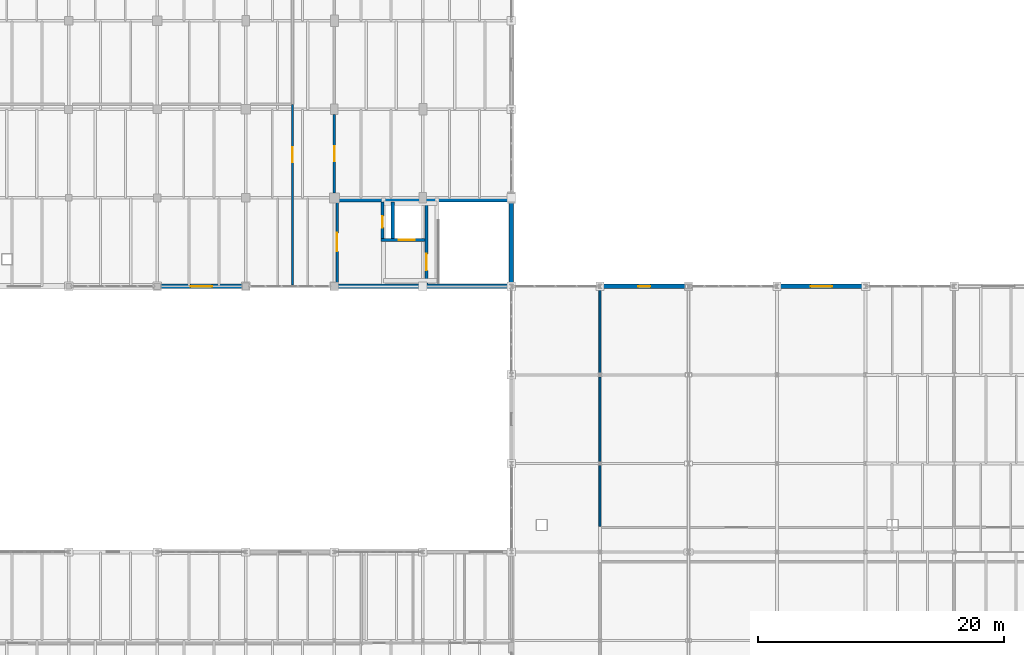
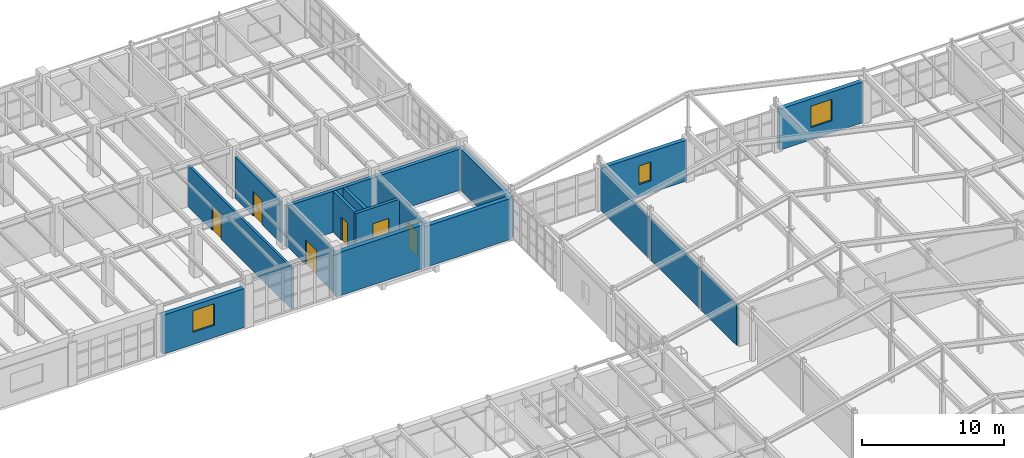
# One storey, part 130 of 137: 17 walls, 6 doors, 3 windows, 9 openings.
"""IFC4 building model written with IfcOpenShell, lengths in metres."""

from ifc_helpers import new_model, si_unit, direction, frame, frame_2d, origin, place, context, subcontext, project, spatial, rectangle, extrude, material, layer, layer_set, type_object, element, fill, save


model = new_model("IFC4")

# Units and contexts
model_context = context("Model", 3, precision=1e-05, world=origin(), true_north=direction((0.0, 1.0)))
body_context = subcontext(model_context, "Body", "Model", "MODEL_VIEW")
ifc_project = project(units=[si_unit("LENGTHUNIT", "METRE"), si_unit("AREAUNIT", "SQUARE_METRE"), si_unit("VOLUMEUNIT", "CUBIC_METRE"), si_unit("PLANEANGLEUNIT", "RADIAN"), si_unit("MASSUNIT", "GRAM", prefix="KILO")], contexts=[model_context])

# Site, building, storey
site_placement = place(None, origin())
site = spatial("IfcSite", under=ifc_project, at=site_placement, CompositionType="ELEMENT")
building_placement = place(site_placement, origin())
building = spatial("IfcBuilding", under=site, at=building_placement, Name="Kemerveld Promenade Tramway Depot", CompositionType="ELEMENT")
storey_placement = place(building_placement, frame((0.0, 0.0, 5.39990234375)))
storey = spatial("IfcBuildingStorey", under=building, at=storey_placement, Name="L01", CompositionType="ELEMENT", Elevation=5.39990234375)

# Wall, opening, door
ifc_material_1 = material(Name="Concrete C40/50", Category="concrete")
ifc_layer_1 = layer(ifc_material_1, 0.25)
ifc_layer_set_1 = layer_set([ifc_layer_1], Name="WL-CORE-250")
wall_type_1 = type_object("IfcWallType", Name="WL-CORE-250", PredefinedType="SHEAR", material=ifc_layer_set_1)
wall_1_placement = place(storey_placement, frame((151.5, 50.580078125, 0.0), z_axis=(0.0, 0.0, 1.0), x_axis=(0.0, 1.0, 0.0)))
wall_1 = element("IfcWall", 1, at=wall_1_placement, inside=storey, type_object=wall_type_1, Name="WL-C6-L01-SDIV", PredefinedType="SHEAR", context=body_context, shape_type="SweptSolid", body=[
    extrude(rectangle(XDim=6.669921875, YDim=0.25, at=frame_2d((3.3349609375, 0.0))), origin(), (0.0, 0.0, 1.0), 3.550048828125),
])
opening_1_placement = place(wall_1_placement, frame((1.1201171875, 0.0, 0.0)))
opening_1 = element("IfcOpeningElement", 2, at=opening_1_placement, cuts=wall_1, Name="Opening D-581", PredefinedType="OPENING", context=body_context, shape_type="SweptSolid", body=[
    extrude(rectangle(XDim=1.35009765625, YDim=2.14990234375, at=frame_2d((0.675048828125, 1.074951171875))), frame((0.0, 0.135009765625, 0.0), z_axis=(0.0, -1.0, 0.0), x_axis=(1.0, 0.0, 0.0)), (0.0, 0.0, 1.0), 0.27001953125),
])
ifc_material_2 = material(Name="Galvanised steel fire stair door", Category="steel")
door_type_1 = type_object("IfcDoorType", Name="DR-FD120", OperationType="NOTDEFINED", PredefinedType="DOOR", material=ifc_material_2)
door_1_placement = place(opening_1_placement, origin())
door_1 = element("IfcDoor", 3, at=door_1_placement, inside=storey, type_object=door_type_1, Name="DR-C6-L01-STAIR", OperationType="SINGLE_SWING_RIGHT", OverallHeight=2.14990234375, OverallWidth=1.35009765625, PredefinedType="DOOR", context=body_context, shape_type="SweptSolid", body=[
    extrude(rectangle(XDim=1.35009765625, YDim=2.14990234375, at=frame_2d((0.675048828125, 1.074951171875))), frame((0.0, 0.02490234375, 0.0), z_axis=(0.0, -1.0, 0.0), x_axis=(1.0, 0.0, 0.0)), (0.0, 0.0, 1.0), 0.050048828125),
])
fill(opening_1, door_1)

wall_2_placement = place(storey_placement, frame((147.794921875, 54.159912109375, 0.0), z_axis=(0.0, 0.0, 1.0), x_axis=(1.0, 0.0, 0.0)))
wall_2 = element("IfcWall", 4, at=wall_2_placement, inside=storey, type_object=wall_type_1, Name="WL-C6-L01-LSHS", PredefinedType="SHEAR", context=body_context, shape_type="SweptSolid", body=[
    extrude(rectangle(XDim=3.580078125, YDim=0.25, at=frame_2d((1.7900390625, 0.0))), origin(), (0.0, 0.0, 1.0), 3.550048828125),
])
opening_2_placement = place(wall_2_placement, frame((1.425048828125, 0.0, 0.0)))
opening_2 = element("IfcOpeningElement", 5, at=opening_2_placement, cuts=wall_2, Name="Opening LD-582", PredefinedType="OPENING", context=body_context, shape_type="SweptSolid", body=[
    extrude(rectangle(XDim=1.300048828125, YDim=2.199951171875, at=frame_2d((0.64990234375, 1.10009765625))), frame((0.0, 0.135009765625, 0.0), z_axis=(0.0, -1.0, 0.0), x_axis=(1.0, 0.0, 0.0)), (0.0, 0.0, 1.0), 0.27001953125),
])
ifc_material_3 = material(Name="Heavy-duty goods lift sliding landing door")
door_type_2 = type_object("IfcDoorType", Name="DR-LD02", OperationType="SLIDING_TO_LEFT", PredefinedType="DOOR", material=ifc_material_3)
door_2_placement = place(opening_2_placement, origin())
door_2 = element("IfcDoor", 6, at=door_2_placement, inside=storey, type_object=door_type_2, Name="DR-C6-L01-LIFT", OperationType="SLIDING_TO_LEFT", OverallHeight=2.199951171875, OverallWidth=1.300048828125, PredefinedType="DOOR", context=body_context, shape_type="SweptSolid", body=[
    extrude(rectangle(XDim=1.300048828125, YDim=2.199951171875, at=frame_2d((0.64990234375, 1.10009765625))), frame((0.0, 0.02490234375, 0.0), z_axis=(0.0, -1.0, 0.0), x_axis=(1.0, 0.0, 0.0)), (0.0, 0.0, 1.0), 0.050048828125),
])
fill(opening_2, door_2)

# Wall
wall_3_placement = place(storey_placement, frame((148.75, 54.284912109375, 0.0), z_axis=(0.0, 0.0, 1.0), x_axis=(0.0, 1.0, 0.0)))
element("IfcWall", 7, at=wall_3_placement, inside=storey, type_object=wall_type_1, Name="WL-C6-L01-LSHM", PredefinedType="SHEAR", context=body_context, shape_type="SweptSolid", body=[
    extrude(rectangle(XDim=2.965087890625, YDim=0.25, at=frame_2d((1.482421875, 0.0))), origin(), (0.0, 0.0, 1.0), 3.550048828125),
])

# Wall, opening, door
wall_4_placement = place(storey_placement, frame((147.919921875, 54.284912109375, 0.0), z_axis=(0.0, 0.0, 1.0), x_axis=(0.0, 1.0, 0.0)))
wall_4 = element("IfcWall", 8, at=wall_4_placement, inside=storey, type_object=wall_type_1, Name="WL-C6-L01-LSHE", PredefinedType="SHEAR", context=body_context, shape_type="SweptSolid", body=[
    extrude(rectangle(XDim=2.965087890625, YDim=0.25, at=frame_2d((1.482421875, 0.0))), origin(), (0.0, 0.0, 1.0), 3.550048828125),
])
opening_3_placement = place(wall_4_placement, frame((0.89990234375, 0.0, 0.0)))
opening_3 = element("IfcOpeningElement", 9, at=opening_3_placement, cuts=wall_4, Name="Opening D-583", PredefinedType="OPENING", context=body_context, shape_type="SweptSolid", body=[
    extrude(rectangle(XDim=0.919921875, YDim=2.050048828125, at=frame_2d((0.4599609375, 1.02490234375))), frame((0.0, 0.135009765625, 0.0), z_axis=(0.0, -1.0, 0.0), x_axis=(1.0, 0.0, 0.0)), (0.0, 0.0, 1.0), 0.27001953125),
])
ifc_material_4 = material(Name="Steel riser shaft access fire door", Category="steel")
door_type_3 = type_object("IfcDoorType", Name="DR-RSR01", OperationType="NOTDEFINED", PredefinedType="DOOR", material=ifc_material_4)
door_3_placement = place(opening_3_placement, origin())
door_3 = element("IfcDoor", 10, at=door_3_placement, inside=storey, type_object=door_type_3, Name="DR-C6-L01-RISER", OperationType="SINGLE_SWING_LEFT", OverallHeight=2.050048828125, OverallWidth=0.919921875, PredefinedType="DOOR", context=body_context, shape_type="SweptSolid", body=[
    extrude(rectangle(XDim=0.919921875, YDim=2.050048828125, at=frame_2d((0.4599609375, 1.02490234375))), frame((0.0, 0.02490234375, 0.0), z_axis=(0.0, -1.0, 0.0), x_axis=(1.0, 0.0, 0.0)), (0.0, 0.0, 1.0), 0.050048828125),
])
fill(opening_3, door_3)

# Wall
ifc_layer_2 = layer(ifc_material_1, 0.300048828125)
ifc_layer_set_2 = layer_set([ifc_layer_2], Name="WL-CORE-300")
wall_type_2 = type_object("IfcWallType", Name="WL-CORE-300", PredefinedType="SHEAR", material=ifc_layer_set_2)
wall_5_placement = place(storey_placement, frame((144.0, 57.39990234375, 0.0), z_axis=(0.0, 0.0, 1.0), x_axis=(1.0, 0.0, 0.0)))
element("IfcWall", 11, at=wall_5_placement, inside=storey, type_object=wall_type_2, Name="WL-C6-L01-N", PredefinedType="SHEAR", context=body_context, shape_type="SweptSolid", body=[
    extrude(rectangle(XDim=14.22998046875, YDim=0.300048828125, at=frame_2d((7.114990234375, 0.0))), origin(), (0.0, 0.0, 1.0), 3.550048828125),
])

# Wall, opening, window
ifc_material_5 = material(Name="Banded granite and red-ochre clay brick masonry", Category="masonry")
ifc_layer_3 = layer(ifc_material_5, 0.35009765625)
ifc_layer_set_3 = layer_set([ifc_layer_3], Name="WL-EXT-350")
wall_type_3 = type_object("IfcWallType", Name="WL-EXT-350", PredefinedType="SOLIDWALL", material=ifc_layer_set_3)
wall_6_placement = place(storey_placement, frame((136.5048828125, 50.39990234375, 0.0), z_axis=(0.0, 0.0, 1.0), x_axis=(-1.0, 0.0, 0.0)))
wall_6 = element("IfcWall", 12, at=wall_6_placement, inside=storey, type_object=wall_type_3, Name="WL-L01-V3S-04", PredefinedType="SOLIDWALL", context=body_context, shape_type="SweptSolid", body=[
    extrude(rectangle(XDim=6.634765625, YDim=0.35009765625, at=frame_2d((3.3173828125, 0.0))), origin(), (0.0, 0.0, 1.0), 3.3701171875),
])
opening_4_placement = place(wall_6_placement, frame((2.44189453125, 0.0, 1.050048828125)))
opening_4 = element("IfcOpeningElement", 13, at=opening_4_placement, cuts=wall_6, Name="Opening W-176", PredefinedType="OPENING", context=body_context, shape_type="SweptSolid", body=[
    extrude(rectangle(XDim=1.75, YDim=1.85009765625, at=frame_2d((0.875, 0.925048828125))), frame((0.0, 0.18505859375, 0.0), z_axis=(0.0, -1.0, 0.0), x_axis=(1.0, 0.0, 0.0)), (0.0, 0.0, 1.0), 0.3701171875),
])
ifc_material_6 = material(Name="Bronze anodised aluminium and low-e glass", Category="aluminium")
window_type_1 = type_object("IfcWindowType", Name="WN-30", PartitioningType="SINGLE_PANEL", PredefinedType="WINDOW", material=ifc_material_6)
window_1_placement = place(opening_4_placement, origin())
window_1 = element("IfcWindow", 14, at=window_1_placement, inside=storey, type_object=window_type_1, Name="WN-L01-V3S-04", OverallHeight=1.85009765625, OverallWidth=1.75, PartitioningType="SINGLE_PANEL", PredefinedType="WINDOW", context=body_context, shape_type="SweptSolid", body=[
    extrude(rectangle(XDim=1.75, YDim=1.85009765625, at=frame_2d((0.875, 0.925048828125))), frame((0.0, 0.030029296875, 0.0), z_axis=(0.0, -1.0, 0.0), x_axis=(1.0, 0.0, 0.0)), (0.0, 0.0, 1.0), 0.06005859375),
])
fill(opening_4, window_1)

wall_7_placement = place(storey_placement, frame((165.777099609375, 50.39990234375, 0.0), z_axis=(0.0, 0.0, 1.0), x_axis=(1.0, 0.0, 0.0)))
wall_7 = element("IfcWall", 15, at=wall_7_placement, inside=storey, type_object=wall_type_3, Name="WL-L01-V2N-02", PredefinedType="SOLIDWALL", context=body_context, shape_type="SweptSolid", body=[
    extrude(rectangle(XDim=6.845703125, YDim=0.35009765625, at=frame_2d((3.4228515625, 0.0))), origin(), (0.0, 0.0, 1.0), 3.53271484375),
])
opening_5_placement = place(wall_7_placement, frame((2.923095703125, 0.0, 1.050048828125)))
opening_5 = element("IfcOpeningElement", 16, at=opening_5_placement, cuts=wall_7, Name="Opening W-178", PredefinedType="OPENING", context=body_context, shape_type="SweptSolid", body=[
    extrude(rectangle(XDim=1.0, YDim=1.60009765625, at=frame_2d((0.5, 0.800048828125))), frame((0.0, 0.18505859375, 0.0), z_axis=(0.0, -1.0, 0.0), x_axis=(1.0, 0.0, 0.0)), (0.0, 0.0, 1.0), 0.3701171875),
])
window_type_2 = type_object("IfcWindowType", Name="WN-20", PartitioningType="SINGLE_PANEL", PredefinedType="WINDOW", material=ifc_material_6)
window_2_placement = place(opening_5_placement, origin())
window_2 = element("IfcWindow", 17, at=window_2_placement, inside=storey, type_object=window_type_2, Name="WN-L01-V2N-02", OverallHeight=1.60009765625, OverallWidth=1.0, PartitioningType="SINGLE_PANEL", PredefinedType="WINDOW", context=body_context, shape_type="SweptSolid", body=[
    extrude(rectangle(XDim=1.0, YDim=1.60009765625, at=frame_2d((0.5, 0.800048828125))), frame((0.0, 0.030029296875, 0.0), z_axis=(0.0, -1.0, 0.0), x_axis=(1.0, 0.0, 0.0)), (0.0, 0.0, 1.0), 0.06005859375),
])
fill(opening_5, window_2)

wall_8_placement = place(storey_placement, frame((180.17724609375, 50.39990234375, 0.0), z_axis=(0.0, 0.0, 1.0), x_axis=(1.0, 0.0, 0.0)))
wall_8 = element("IfcWall", 18, at=wall_8_placement, inside=storey, type_object=wall_type_3, Name="WL-L01-V2N-04", PredefinedType="SOLIDWALL", context=body_context, shape_type="SweptSolid", body=[
    extrude(rectangle(XDim=6.845458984375, YDim=0.35009765625, at=frame_2d((3.4228515625, 0.0))), origin(), (0.0, 0.0, 1.0), 3.53271484375),
])
opening_6_placement = place(wall_8_placement, frame((2.548095703125, 0.0, 1.050048828125)))
opening_6 = element("IfcOpeningElement", 19, at=opening_6_placement, cuts=wall_8, Name="Opening W-179", PredefinedType="OPENING", context=body_context, shape_type="SweptSolid", body=[
    extrude(rectangle(XDim=1.75, YDim=1.85009765625, at=frame_2d((0.875, 0.925048828125))), frame((0.0, 0.18505859375, 0.0), z_axis=(0.0, -1.0, 0.0), x_axis=(1.0, 0.0, 0.0)), (0.0, 0.0, 1.0), 0.3701171875),
])
window_3_placement = place(opening_6_placement, origin())
window_3 = element("IfcWindow", 20, at=window_3_placement, inside=storey, type_object=window_type_1, Name="WN-L01-V2N-04", OverallHeight=1.85009765625, OverallWidth=1.75, PartitioningType="SINGLE_PANEL", PredefinedType="WINDOW", context=body_context, shape_type="SweptSolid", body=[
    extrude(rectangle(XDim=1.75, YDim=1.85009765625, at=frame_2d((0.875, 0.925048828125))), frame((0.0, 0.030029296875, 0.0), z_axis=(0.0, -1.0, 0.0), x_axis=(1.0, 0.0, 0.0)), (0.0, 0.0, 1.0), 0.06005859375),
])
fill(opening_6, window_3)

# Walls
ifc_layer_4 = layer(ifc_material_1, 0.360107421875)
ifc_layer_set_4 = layer_set([ifc_layer_4], Name="WL-EXT-CORE")
wall_type_4 = type_object("IfcWallType", Name="WL-EXT-CORE", PredefinedType="SHEAR", material=ifc_layer_set_4)
wall_9_placement = place(storey_placement, frame((158.39990234375, 57.60009765625, 0.0), z_axis=(0.0, 0.0, 1.0), x_axis=(0.0, -1.0, 0.0)))
element("IfcWall", 21, at=wall_9_placement, inside=storey, type_object=wall_type_4, Name="WL-L01-V3E-04", PredefinedType="SHEAR", context=body_context, shape_type="SweptSolid", body=[
    extrude(rectangle(XDim=7.2001953125, YDim=0.360107421875, at=frame_2d((3.60009765625, 0.0))), origin(), (0.0, 0.0, 1.0), 3.53271484375),
])
wall_10_placement = place(storey_placement, frame((158.39990234375, 50.39990234375, 0.0), z_axis=(0.0, 0.0, 1.0), x_axis=(-1.0, 0.0, 0.0)))
element("IfcWall", 22, at=wall_10_placement, inside=storey, type_object=wall_type_4, Name="WL-L01-V3S-01", PredefinedType="SHEAR", context=body_context, shape_type="SweptSolid", body=[
    extrude(rectangle(XDim=7.199951171875, YDim=0.360107421875, at=frame_2d((3.60009765625, 0.0))), origin(), (0.0, 0.0, 1.0), 3.53271484375),
])
wall_11_placement = place(storey_placement, frame((151.199951171875, 50.39990234375, 0.0), z_axis=(0.0, 0.0, 1.0), x_axis=(-1.0, 0.0, 0.0)))
element("IfcWall", 23, at=wall_11_placement, inside=storey, type_object=wall_type_4, Name="WL-L01-V3S-02", PredefinedType="SHEAR", context=body_context, shape_type="SweptSolid", body=[
    extrude(rectangle(XDim=7.199951171875, YDim=0.360107421875, at=frame_2d((3.60009765625, 0.0))), origin(), (0.0, 0.0, 1.0), 3.75),
])

# Wall, opening, door
ifc_material_7 = material(Name="Concrete blockwork C35/45", Category="masonry")
ifc_layer_5 = layer(ifc_material_7, 0.199951171875)
ifc_layer_set_5 = layer_set([ifc_layer_5], Name="WL-LOB-200")
wall_type_5 = type_object("IfcWallType", Name="WL-LOB-200", PredefinedType="SOLIDWALL", material=ifc_layer_set_5)
wall_12_placement = place(storey_placement, frame((144.219970703125, 50.580078125, 0.0), z_axis=(0.0, 0.0, 1.0), x_axis=(0.0, 1.0, 0.0)))
wall_12 = element("IfcWall", 24, at=wall_12_placement, inside=storey, type_object=wall_type_5, Name="WL-C6-L01-LOB", PredefinedType="SOLIDWALL", context=body_context, shape_type="SweptSolid", body=[
    extrude(rectangle(XDim=6.669921875, YDim=0.199951171875, at=frame_2d((3.3349609375, 0.0))), origin(), (0.0, 0.0, 1.0), 3.550048828125),
])
opening_7_placement = place(wall_12_placement, frame((2.669921875, 0.0, 0.0)))
opening_7 = element("IfcOpeningElement", 25, at=opening_7_placement, cuts=wall_12, Name="Opening D-584", PredefinedType="OPENING", context=body_context, shape_type="SweptSolid", body=[
    extrude(rectangle(XDim=1.5, YDim=2.14990234375, at=frame_2d((0.75, 1.074951171875))), frame((0.0, 0.10986328125, 0.0), z_axis=(0.0, -1.0, 0.0), x_axis=(1.0, 0.0, 0.0)), (0.0, 0.0, 1.0), 0.219970703125),
])
ifc_material_8 = material(Name="Timber-faced acoustic fire lobby door", Category="wood")
door_type_4 = type_object("IfcDoorType", Name="DR-FD60A", OperationType="NOTDEFINED", PredefinedType="DOOR", material=ifc_material_8)
door_4_placement = place(opening_7_placement, origin())
door_4 = element("IfcDoor", 26, at=door_4_placement, inside=storey, type_object=door_type_4, Name="DR-C6-L01-LOBBY", OperationType="SINGLE_SWING_RIGHT", OverallHeight=2.14990234375, OverallWidth=1.5, PredefinedType="DOOR", context=body_context, shape_type="SweptSolid", body=[
    extrude(rectangle(XDim=1.5, YDim=2.14990234375, at=frame_2d((0.75, 1.074951171875))), frame((0.0, 0.02490234375, 0.0), z_axis=(0.0, -1.0, 0.0), x_axis=(1.0, 0.0, 0.0)), (0.0, 0.0, 1.0), 0.050048828125),
])
fill(opening_7, door_4)

# Walls
ifc_material_9 = material(Name="Acoustic twin-stud gypsum partition")
ifc_layer_6 = layer(ifc_material_9, 0.159912109375)
ifc_layer_set_6 = layer_set([ifc_layer_6], Name="WL-PRT-160")
wall_type_6 = type_object("IfcWallType", Name="WL-PRT-160", PredefinedType="PARTITIONING", material=ifc_layer_set_6)
wall_13_placement = place(storey_placement, frame((165.60009765625, 30.89501953125, 0.0), z_axis=(0.0, 0.0, 1.0), x_axis=(0.0, 1.0, 0.0)))
element("IfcWall", 27, at=wall_13_placement, inside=storey, type_object=wall_type_6, Name="WL-DIV-L01-009", PredefinedType="PARTITIONING", context=body_context, shape_type="SweptSolid", body=[
    extrude(rectangle(XDim=4.946044921875, YDim=0.159912109375, at=frame_2d((2.47314453125, 0.0))), origin(), (0.0, 0.0, 1.0), 3.527587890625),
])
wall_14_placement = place(storey_placement, frame((165.60009765625, 36.158935546875, 0.0), z_axis=(0.0, 0.0, 1.0), x_axis=(0.0, 1.0, 0.0)))
element("IfcWall", 28, at=wall_14_placement, inside=storey, type_object=wall_type_6, Name="WL-DIV-L01-010", PredefinedType="PARTITIONING", context=body_context, shape_type="SweptSolid", body=[
    extrude(rectangle(XDim=6.882080078125, YDim=0.159912109375, at=frame_2d((3.44091796875, 0.0))), origin(), (0.0, 0.0, 1.0), 3.527587890625),
])
wall_15_placement = place(storey_placement, frame((165.60009765625, 43.35888671875, 0.0), z_axis=(0.0, 0.0, 1.0), x_axis=(0.0, 1.0, 0.0)))
element("IfcWall", 29, at=wall_15_placement, inside=storey, type_object=wall_type_6, Name="WL-DIV-L01-011", PredefinedType="PARTITIONING", context=body_context, shape_type="SweptSolid", body=[
    extrude(rectangle(XDim=6.8662109375, YDim=0.159912109375, at=frame_2d((3.43310546875, 0.0))), origin(), (0.0, 0.0, 1.0), 3.527587890625),
])

# Wall, opening, door
ifc_material_10 = material(Name="Plant and substation fire partition")
ifc_layer_7 = layer(ifc_material_10, 0.18994140625)
ifc_layer_set_7 = layer_set([ifc_layer_7], Name="WL-PRT-190")
wall_type_7 = type_object("IfcWallType", Name="WL-PRT-190", PredefinedType="PARTITIONING", material=ifc_layer_set_7)
wall_16_placement = place(storey_placement, frame((140.60009765625, 50.5, 0.0), z_axis=(0.0, 0.0, 1.0), x_axis=(0.0, 1.0, 0.0)))
wall_16 = element("IfcWall", 30, at=wall_16_placement, inside=storey, type_object=wall_type_7, Name="WL-PRT-RM-L01-V3-SWGR", PredefinedType="PARTITIONING", context=body_context, shape_type="SweptSolid", body=[
    extrude(rectangle(XDim=14.699951171875, YDim=0.18994140625, at=frame_2d((7.35009765625, 0.0))), origin(), (0.0, 0.0, 1.0), 3.550048828125),
])
opening_8_placement = place(wall_16_placement, frame((9.97802734375, 0.0, 0.0)))
opening_8 = element("IfcOpeningElement", 31, at=opening_8_placement, cuts=wall_16, Name="Opening D-633", PredefinedType="OPENING", context=body_context, shape_type="SweptSolid", body=[
    extrude(rectangle(XDim=1.25, YDim=2.14990234375, at=frame_2d((0.625, 1.074951171875))), frame((0.0, 0.10498046875, 0.0), z_axis=(0.0, -1.0, 0.0), x_axis=(1.0, 0.0, 0.0)), (0.0, 0.0, 1.0), 0.2099609375),
])
ifc_material_11 = material(Name="Steel plant room fire door", Category="steel")
door_type_5 = type_object("IfcDoorType", Name="DR-FD60C", OperationType="NOTDEFINED", PredefinedType="DOOR", material=ifc_material_11)
door_5_placement = place(opening_8_placement, origin())
door_5 = element("IfcDoor", 32, at=door_5_placement, inside=storey, type_object=door_type_5, Name="DR-RM-RM-L01-V3-SWGR", OperationType="SINGLE_SWING_LEFT", OverallHeight=2.14990234375, OverallWidth=1.25, PredefinedType="DOOR", context=body_context, shape_type="SweptSolid", body=[
    extrude(rectangle(XDim=1.25, YDim=2.14990234375, at=frame_2d((0.625, 1.074951171875))), frame((0.0, 0.02490234375, 0.0), z_axis=(0.0, -1.0, 0.0), x_axis=(1.0, 0.0, 0.0)), (0.0, 0.0, 1.0), 0.050048828125),
])
fill(opening_8, door_5)

wall_17_placement = place(storey_placement, frame((144.0, 58.001953125, 0.0), z_axis=(0.0, 0.0, 1.0), x_axis=(0.0, 1.0, 0.0)))
wall_17 = element("IfcWall", 33, at=wall_17_placement, inside=storey, type_object=wall_type_7, Name="WL-PRT-RM-L01-V3-BATT", PredefinedType="PARTITIONING", context=body_context, shape_type="SweptSolid", body=[
    extrude(rectangle(XDim=6.37109375, YDim=0.18994140625, at=frame_2d((3.185546875, 0.0))), origin(), (0.0, 0.0, 1.0), 3.550048828125),
])
opening_9_placement = place(wall_17_placement, frame((2.56103515625, 0.0, 0.0)))
opening_9 = element("IfcOpeningElement", 34, at=opening_9_placement, cuts=wall_17, Name="Opening D-635", PredefinedType="OPENING", context=body_context, shape_type="SweptSolid", body=[
    extrude(rectangle(XDim=1.25, YDim=2.14990234375, at=frame_2d((0.625, 1.074951171875))), frame((0.0, 0.10498046875, 0.0), z_axis=(0.0, -1.0, 0.0), x_axis=(1.0, 0.0, 0.0)), (0.0, 0.0, 1.0), 0.2099609375),
])
door_6_placement = place(opening_9_placement, origin())
door_6 = element("IfcDoor", 35, at=door_6_placement, inside=storey, type_object=door_type_5, Name="DR-RM-RM-L01-V3-BATT", OperationType="SINGLE_SWING_LEFT", OverallHeight=2.14990234375, OverallWidth=1.25, PredefinedType="DOOR", context=body_context, shape_type="SweptSolid", body=[
    extrude(rectangle(XDim=1.25, YDim=2.14990234375, at=frame_2d((0.625, 1.074951171875))), frame((0.0, 0.02490234375, 0.0), z_axis=(0.0, -1.0, 0.0), x_axis=(1.0, 0.0, 0.0)), (0.0, 0.0, 1.0), 0.050048828125),
])
fill(opening_9, door_6)

save(model, "model.ifc")
